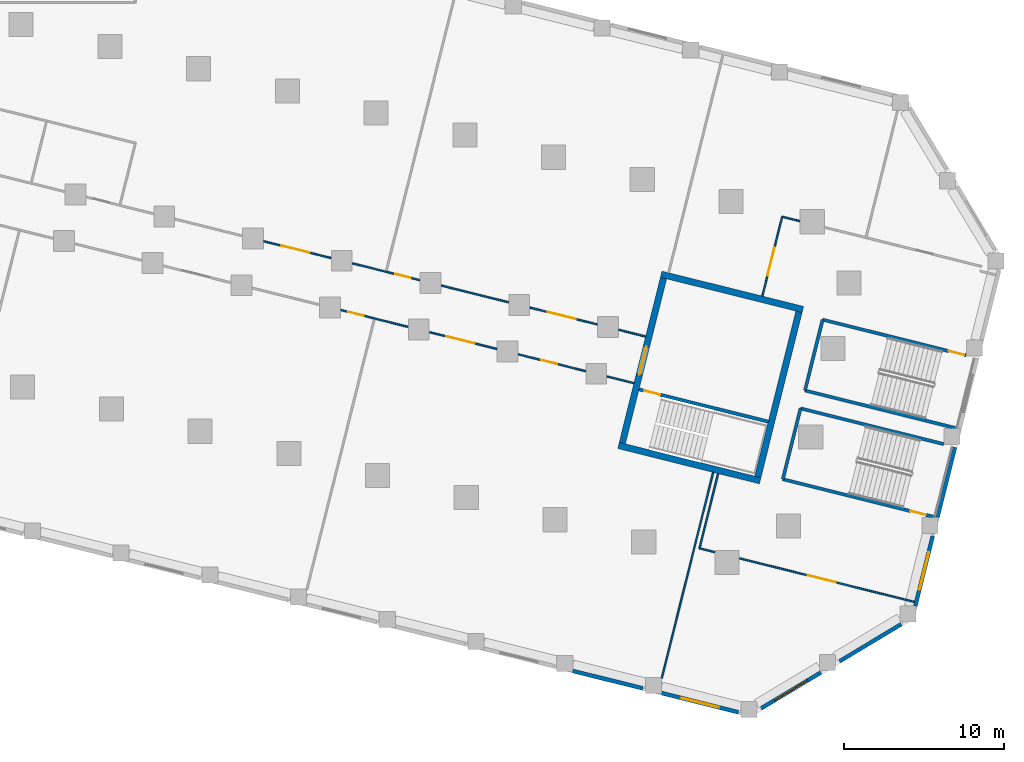
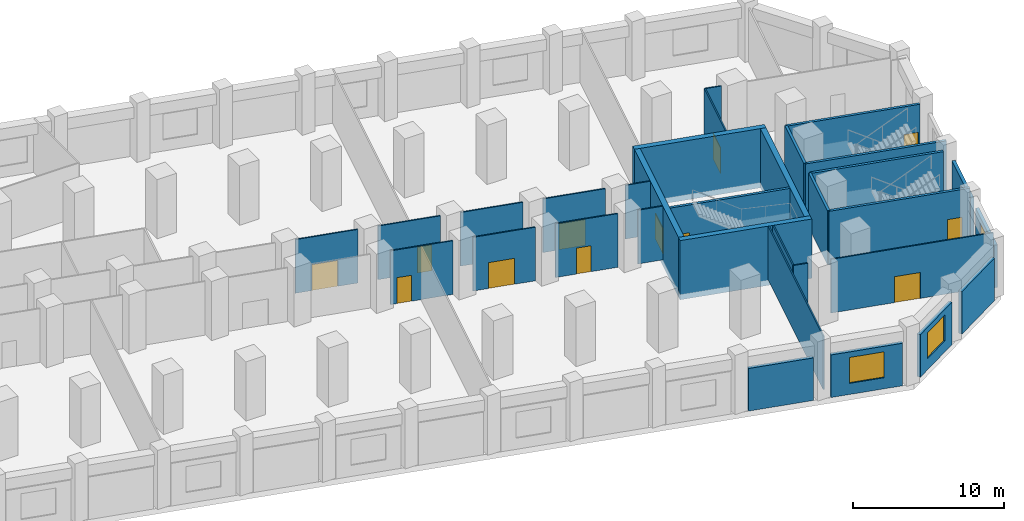
# One storey, part 6 of 16: 32 walls, 12 doors, 3 windows, 15 openings.
"""IFC4 building model written with IfcOpenShell, lengths in metres."""

from ifc_helpers import new_model, si_unit, direction, frame, frame_2d, origin, place, context, subcontext, project, spatial, rectangle, extrude, material, layer, layer_set, type_object, element, fill, save


model = new_model("IFC4")

# Units and contexts
model_context = context("Model", 3, precision=1e-05, world=origin(), true_north=direction((0.0, 1.0)))
body_context = subcontext(model_context, "Body", "Model", "MODEL_VIEW")
ifc_project = project(units=[si_unit("LENGTHUNIT", "METRE"), si_unit("AREAUNIT", "SQUARE_METRE"), si_unit("VOLUMEUNIT", "CUBIC_METRE"), si_unit("PLANEANGLEUNIT", "RADIAN"), si_unit("MASSUNIT", "GRAM", prefix="KILO")], contexts=[model_context])

# Site, building, storey
site_placement = place(None, origin())
site = spatial("IfcSite", under=ifc_project, at=site_placement, CompositionType="ELEMENT")
building_placement = place(site_placement, origin())
building = spatial("IfcBuilding", under=site, at=building_placement, Name="Meshkara Civic Tower", CompositionType="ELEMENT")
storey_placement = place(building_placement, frame((0.0, 0.0, 18.60009765625)))
storey = spatial("IfcBuildingStorey", under=building, at=storey_placement, Name="L03", CompositionType="ELEMENT", Elevation=18.60009765625)

# Wall, opening, door
ifc_material_1 = material(Name="Corridor wall 100")
ifc_layer_1 = layer(ifc_material_1, 0.10009765625)
ifc_layer_set_1 = layer_set([ifc_layer_1], Name="Corridor wall 100")
wall_type_1 = type_object("IfcWallType", Name="Corridor wall 100", PredefinedType="PARTITIONING", material=ifc_layer_set_1)
wall_1_placement = place(storey_placement, frame((58.194091796875, -1.214111328125, 0.0), z_axis=(0.0, 0.0, 1.0), x_axis=(-0.970325134426, 0.241803915396, 0.0)))
wall_1 = element("IfcWall", 1, at=wall_1_placement, inside=storey, type_object=wall_type_1, Name="L03-R060", PredefinedType="PARTITIONING", context=body_context, shape_type="SweptSolid", body=[
    extrude(rectangle(XDim=4.318359375, YDim=0.10009765625, at=frame_2d((2.1591796875, 0.0))), origin(), (0.0, 0.0, 1.0), 4.349853515625),
])
opening_1_placement = place(wall_1_placement, frame((1.3798828125, 0.0, 0.0)))
opening_1 = element("IfcOpeningElement", 2, at=opening_1_placement, cuts=wall_1, Name="Opening L03-P007", PredefinedType="OPENING", context=body_context, shape_type="SweptSolid", body=[
    extrude(rectangle(XDim=1.800048828125, YDim=2.10009765625, at=frame_2d((0.89990234375, 1.050048828125))), frame((0.0, 0.06005859375, 0.0), z_axis=(0.0, -1.0, 0.0), x_axis=(1.0, 0.0, 0.0)), (0.0, 0.0, 1.0), 0.1201171875),
])
ifc_material_2 = material(Name="Door pair 1800 x 2100")
door_type_1 = type_object("IfcDoorType", Name="Door pair 1800 x 2100", OperationType="SINGLE_SWING_LEFT", PredefinedType="DOOR", material=ifc_material_2)
door_1_placement = place(opening_1_placement, origin())
door_1 = element("IfcDoor", 3, at=door_1_placement, inside=storey, type_object=door_type_1, Name="L03-P007", OperationType="DOUBLE_DOOR_SINGLE_SWING", OverallHeight=2.10009765625, OverallWidth=1.800048828125, PredefinedType="DOOR", context=body_context, shape_type="SweptSolid", body=[
    extrude(rectangle(XDim=1.800048828125, YDim=2.10009765625, at=frame_2d((0.89990234375, 1.050048828125))), frame((0.0, 0.02490234375, 0.0), z_axis=(0.0, -1.0, 0.0), x_axis=(1.0, 0.0, 0.0)), (0.0, 0.0, 1.0), 0.050048828125),
])
fill(opening_1, door_1)

wall_2_placement = place(storey_placement, frame((58.80908203125, -4.4599609375, 0.0), z_axis=(0.0, 0.0, 1.0), x_axis=(0.970335093604, -0.241763947107, 0.0)))
wall_2 = element("IfcWall", 4, at=wall_2_placement, inside=storey, type_object=wall_type_1, Name="L03-R061", PredefinedType="PARTITIONING", context=body_context, shape_type="SweptSolid", body=[
    extrude(rectangle(XDim=4.318115234375, YDim=0.10009765625, at=frame_2d((2.1591796875, 0.0))), origin(), (0.0, 0.0, 1.0), 4.349853515625),
])
opening_2_placement = place(wall_2_placement, frame((0.47998046875, 0.0, 0.0)))
opening_2 = element("IfcOpeningElement", 5, at=opening_2_placement, cuts=wall_2, Name="Opening L03-P008", PredefinedType="OPENING", context=body_context, shape_type="SweptSolid", body=[
    extrude(rectangle(XDim=1.0, YDim=2.10009765625, at=frame_2d((0.5, 1.050048828125))), frame((0.0, 0.06005859375, 0.0), z_axis=(0.0, -1.0, 0.0), x_axis=(1.0, 0.0, 0.0)), (0.0, 0.0, 1.0), 0.1201171875),
])
ifc_material_3 = material(Name="Door 1000 x 2100")
door_type_2 = type_object("IfcDoorType", Name="Door 1000 x 2100", OperationType="SINGLE_SWING_LEFT", PredefinedType="DOOR", material=ifc_material_3)
door_2_placement = place(opening_2_placement, origin())
door_2 = element("IfcDoor", 6, at=door_2_placement, inside=storey, type_object=door_type_2, Name="L03-P008", OperationType="SINGLE_SWING_RIGHT", OverallHeight=2.10009765625, OverallWidth=1.0, PredefinedType="DOOR", context=body_context, shape_type="SweptSolid", body=[
    extrude(rectangle(XDim=1.0, YDim=2.10009765625, at=frame_2d((0.5, 1.050048828125))), frame((0.0, 0.02490234375, 0.0), z_axis=(0.0, -1.0, 0.0), x_axis=(1.0, 0.0, 0.0)), (0.0, 0.0, 1.0), 0.050048828125),
])
fill(opening_2, door_2)

wall_3_placement = place(storey_placement, frame((59.533935546875, -1.548095703125, 0.0), z_axis=(0.0, 0.0, 1.0), x_axis=(0.970298563138, -0.241910517285, 0.0)))
wall_3 = element("IfcWall", 7, at=wall_3_placement, inside=storey, type_object=wall_type_1, Name="L03-R062", PredefinedType="PARTITIONING", context=body_context, shape_type="SweptSolid", body=[
    extrude(rectangle(XDim=4.3193359375, YDim=0.10009765625, at=frame_2d((2.15966796875, 0.0))), origin(), (0.0, 0.0, 1.0), 4.349853515625),
])
opening_3_placement = place(wall_3_placement, frame((2.739990234375, 0.0, 0.0)))
opening_3 = element("IfcOpeningElement", 8, at=opening_3_placement, cuts=wall_3, Name="Opening L03-P009", PredefinedType="OPENING", context=body_context, shape_type="SweptSolid", body=[
    extrude(rectangle(XDim=1.0, YDim=2.10009765625, at=frame_2d((0.5, 1.050048828125))), frame((0.0, 0.06005859375, 0.0), z_axis=(0.0, -1.0, 0.0), x_axis=(1.0, 0.0, 0.0)), (0.0, 0.0, 1.0), 0.1201171875),
])
door_3_placement = place(opening_3_placement, origin())
door_3 = element("IfcDoor", 9, at=door_3_placement, inside=storey, type_object=door_type_2, Name="L03-P009", OperationType="SINGLE_SWING_LEFT", OverallHeight=2.10009765625, OverallWidth=1.0, PredefinedType="DOOR", context=body_context, shape_type="SweptSolid", body=[
    extrude(rectangle(XDim=1.0, YDim=2.10009765625, at=frame_2d((0.5, 1.050048828125))), frame((0.0, 0.02490234375, 0.0), z_axis=(0.0, -1.0, 0.0), x_axis=(1.0, 0.0, 0.0)), (0.0, 0.0, 1.0), 0.050048828125),
])
fill(opening_3, door_3)

wall_4_placement = place(storey_placement, frame((64.339111328125, -5.837890625, 0.0), z_axis=(0.0, 0.0, 1.0), x_axis=(0.97028198557, -0.241976999897, 0.0)))
wall_4 = element("IfcWall", 10, at=wall_4_placement, inside=storey, type_object=wall_type_1, Name="L03-R063", PredefinedType="PARTITIONING", context=body_context, shape_type="SweptSolid", body=[
    extrude(rectangle(XDim=4.3193359375, YDim=0.10009765625, at=frame_2d((2.15966796875, 0.0))), origin(), (0.0, 0.0, 1.0), 4.349853515625),
])
opening_4_placement = place(wall_4_placement, frame((1.080078125, 0.0, 0.0)))
opening_4 = element("IfcOpeningElement", 11, at=opening_4_placement, cuts=wall_4, Name="Opening L03-P003", PredefinedType="OPENING", context=body_context, shape_type="SweptSolid", body=[
    extrude(rectangle(XDim=1.800048828125, YDim=2.10009765625, at=frame_2d((0.89990234375, 1.050048828125))), frame((0.0, 0.06005859375, 0.0), z_axis=(0.0, -1.0, 0.0), x_axis=(1.0, 0.0, 0.0)), (0.0, 0.0, 1.0), 0.1201171875),
])
door_4_placement = place(opening_4_placement, origin())
door_4 = element("IfcDoor", 12, at=door_4_placement, inside=storey, type_object=door_type_1, Name="L03-P003", OperationType="DOUBLE_DOOR_SINGLE_SWING", OverallHeight=2.10009765625, OverallWidth=1.800048828125, PredefinedType="DOOR", context=body_context, shape_type="SweptSolid", body=[
    extrude(rectangle(XDim=1.800048828125, YDim=2.10009765625, at=frame_2d((0.89990234375, 1.050048828125))), frame((0.0, 0.02490234375, 0.0), z_axis=(0.0, -1.0, 0.0), x_axis=(1.0, 0.0, 0.0)), (0.0, 0.0, 1.0), 0.050048828125),
])
fill(opening_4, door_4)

# Wall
wall_5_placement = place(storey_placement, frame((69.256103515625, -3.971923828125, 0.0), z_axis=(0.0, 0.0, 1.0), x_axis=(-0.970298563138, 0.241910517285, 0.0)))
element("IfcWall", 13, at=wall_5_placement, inside=storey, type_object=wall_type_1, Name="L03-R064", PredefinedType="PARTITIONING", context=body_context, shape_type="SweptSolid", body=[
    extrude(rectangle(XDim=4.3193359375, YDim=0.10009765625, at=frame_2d((2.15966796875, 0.0))), origin(), (0.0, 0.0, 1.0), 4.349853515625),
])

# Wall, opening, door
wall_6_placement = place(storey_placement, frame((69.8701171875, -7.218017578125, 0.0), z_axis=(0.0, 0.0, 1.0), x_axis=(0.970295255208, -0.241923784941, 0.0)))
wall_6 = element("IfcWall", 14, at=wall_6_placement, inside=storey, type_object=wall_type_1, Name="L03-R065", PredefinedType="PARTITIONING", context=body_context, shape_type="SweptSolid", body=[
    extrude(rectangle(XDim=4.3193359375, YDim=0.10009765625, at=frame_2d((2.15966796875, 0.0))), origin(), (0.0, 0.0, 1.0), 4.349853515625),
])
opening_5_placement = place(wall_6_placement, frame((1.47998046875, 0.0, 0.0)))
opening_5 = element("IfcOpeningElement", 15, at=opening_5_placement, cuts=wall_6, Name="Opening L03-P004", PredefinedType="OPENING", context=body_context, shape_type="SweptSolid", body=[
    extrude(rectangle(XDim=1.0, YDim=2.10009765625, at=frame_2d((0.5, 1.050048828125))), frame((0.0, 0.06005859375, 0.0), z_axis=(0.0, -1.0, 0.0), x_axis=(1.0, 0.0, 0.0)), (0.0, 0.0, 1.0), 0.1201171875),
])
door_5_placement = place(opening_5_placement, origin())
door_5 = element("IfcDoor", 16, at=door_5_placement, inside=storey, type_object=door_type_2, Name="L03-P004", OperationType="SINGLE_SWING_RIGHT", OverallHeight=2.10009765625, OverallWidth=1.0, PredefinedType="DOOR", context=body_context, shape_type="SweptSolid", body=[
    extrude(rectangle(XDim=1.0, YDim=2.10009765625, at=frame_2d((0.5, 1.050048828125))), frame((0.0, 0.02490234375, 0.0), z_axis=(0.0, -1.0, 0.0), x_axis=(1.0, 0.0, 0.0)), (0.0, 0.0, 1.0), 0.050048828125),
])
fill(opening_5, door_5)

wall_7_placement = place(storey_placement, frame((74.785888671875, -5.35107421875, 0.0), z_axis=(0.0, 0.0, 1.0), x_axis=(-0.970321828551, 0.241817181023, 0.0)))
wall_7 = element("IfcWall", 17, at=wall_7_placement, inside=storey, type_object=wall_type_1, Name="L03-R066", PredefinedType="PARTITIONING", context=body_context, shape_type="SweptSolid", body=[
    extrude(rectangle(XDim=4.318115234375, YDim=0.10009765625, at=frame_2d((2.1591796875, 0.0))), origin(), (0.0, 0.0, 1.0), 4.349853515625),
])
opening_6_placement = place(wall_7_placement, frame((1.3798828125, 0.0, 0.0)))
opening_6 = element("IfcOpeningElement", 18, at=opening_6_placement, cuts=wall_7, Name="Opening L03-P010", PredefinedType="OPENING", context=body_context, shape_type="SweptSolid", body=[
    extrude(rectangle(XDim=1.800048828125, YDim=2.10009765625, at=frame_2d((0.89990234375, 1.050048828125))), frame((0.0, 0.06005859375, 0.0), z_axis=(0.0, -1.0, 0.0), x_axis=(1.0, 0.0, 0.0)), (0.0, 0.0, 1.0), 0.1201171875),
])
door_6_placement = place(opening_6_placement, origin())
door_6 = element("IfcDoor", 19, at=door_6_placement, inside=storey, type_object=door_type_1, Name="L03-P010", OperationType="DOUBLE_DOOR_SINGLE_SWING", OverallHeight=2.10009765625, OverallWidth=1.800048828125, PredefinedType="DOOR", context=body_context, shape_type="SweptSolid", body=[
    extrude(rectangle(XDim=1.800048828125, YDim=2.10009765625, at=frame_2d((0.89990234375, 1.050048828125))), frame((0.0, 0.02490234375, 0.0), z_axis=(0.0, -1.0, 0.0), x_axis=(1.0, 0.0, 0.0)), (0.0, 0.0, 1.0), 0.050048828125),
])
fill(opening_6, door_6)

# Walls
wall_8_placement = place(storey_placement, frame((75.40087890625, -8.596923828125, 0.0), z_axis=(0.0, 0.0, 1.0), x_axis=(0.970358012919, -0.241671940372, 0.0)))
element("IfcWall", 20, at=wall_8_placement, inside=storey, type_object=wall_type_1, Name="L03-R067", PredefinedType="PARTITIONING", context=body_context, shape_type="SweptSolid", body=[
    extrude(rectangle(XDim=1.7294921875, YDim=0.10009765625, at=frame_2d((0.86474609375, 0.0))), origin(), (0.0, 0.0, 1.0), 4.349853515625),
])
wall_9_placement = place(storey_placement, frame((77.804931640625, -6.10400390625, 0.0), z_axis=(0.0, 0.0, 1.0), x_axis=(-0.97025029366, 0.242104043031, 0.0)))
element("IfcWall", 21, at=wall_9_placement, inside=storey, type_object=wall_type_1, Name="L03-R068", PredefinedType="PARTITIONING", context=body_context, shape_type="SweptSolid", body=[
    extrude(rectangle(XDim=1.73046875, YDim=0.10009765625, at=frame_2d((0.865234375, 0.0))), origin(), (0.0, 0.0, 1.0), 4.349853515625),
])
wall_10_placement = place(storey_placement, frame((81.159912109375, -19.30810546875, 0.0), z_axis=(0.0, 0.0, 1.0), x_axis=(0.970258747404, -0.242070161495, 0.0)))
element("IfcWall", 22, at=wall_10_placement, inside=storey, type_object=wall_type_1, Name="L03-R069", PredefinedType="PARTITIONING", context=body_context, shape_type="SweptSolid", body=[
    extrude(rectangle(XDim=0.9873046875, YDim=0.10009765625, at=frame_2d((0.49365234375, 0.0))), origin(), (0.0, 0.0, 1.0), 4.349853515625),
])
wall_11_placement = place(storey_placement, frame((82.321044921875, -14.65087890625, 0.0), z_axis=(0.0, 0.0, 1.0), x_axis=(-0.241913228726, -0.970297887129, 0.0)))
element("IfcWall", 23, at=wall_11_placement, inside=storey, type_object=wall_type_1, Name="L03-R070", PredefinedType="PARTITIONING", context=body_context, shape_type="SweptSolid", body=[
    extrude(rectangle(XDim=4.7998046875, YDim=0.10009765625, at=frame_2d((2.39990234375, 0.0))), origin(), (0.0, 0.0, 1.0), 4.349853515625),
])

# Wall, opening, door
wall_12_placement = place(storey_placement, frame((83.657958984375, -19.930908203125, 0.0), z_axis=(0.0, 0.0, 1.0), x_axis=(0.970304770319, -0.241885619034, 0.0)))
wall_12 = element("IfcWall", 24, at=wall_12_placement, inside=storey, type_object=wall_type_1, Name="L03-R071", PredefinedType="PARTITIONING", context=body_context, shape_type="SweptSolid", body=[
    extrude(rectangle(XDim=11.224609375, YDim=0.10009765625, at=frame_2d((5.6123046875, 0.0))), origin(), (0.0, 0.0, 1.0), 4.349853515625),
])
opening_7_placement = place(wall_12_placement, frame((4.3798828125, 0.0, 0.0)))
opening_7 = element("IfcOpeningElement", 25, at=opening_7_placement, cuts=wall_12, Name="Opening L03-P001", PredefinedType="OPENING", context=body_context, shape_type="SweptSolid", body=[
    extrude(rectangle(XDim=1.800048828125, YDim=2.10009765625, at=frame_2d((0.89990234375, 1.050048828125))), frame((0.0, 0.06005859375, 0.0), z_axis=(0.0, -1.0, 0.0), x_axis=(1.0, 0.0, 0.0)), (0.0, 0.0, 1.0), 0.1201171875),
])
door_7_placement = place(opening_7_placement, origin())
door_7 = element("IfcDoor", 26, at=door_7_placement, inside=storey, type_object=door_type_1, Name="L03-P001", OperationType="DOUBLE_DOOR_SINGLE_SWING", OverallHeight=2.10009765625, OverallWidth=1.800048828125, PredefinedType="DOOR", context=body_context, shape_type="SweptSolid", body=[
    extrude(rectangle(XDim=1.800048828125, YDim=2.10009765625, at=frame_2d((0.89990234375, 1.050048828125))), frame((0.0, 0.02490234375, 0.0), z_axis=(0.0, -1.0, 0.0), x_axis=(1.0, 0.0, 0.0)), (0.0, 0.0, 1.0), 0.050048828125),
])
fill(opening_7, door_7)

wall_13_placement = place(storey_placement, frame((86.31298828125, 1.35888671875, 0.0), z_axis=(0.0, 0.0, 1.0), x_axis=(-0.241961080538, -0.970285955533, 0.0)))
wall_13 = element("IfcWall", 27, at=wall_13_placement, inside=storey, type_object=wall_type_1, Name="L03-R072", PredefinedType="PARTITIONING", context=body_context, shape_type="SweptSolid", body=[
    extrude(rectangle(XDim=5.099609375, YDim=0.10009765625, at=frame_2d((2.5498046875, 0.0))), origin(), (0.0, 0.0, 1.0), 4.349853515625),
])
opening_8_placement = place(wall_13_placement, frame((1.97998046875, 0.0, 0.0)))
opening_8 = element("IfcOpeningElement", 28, at=opening_8_placement, cuts=wall_13, Name="Opening L03-P011", PredefinedType="OPENING", context=body_context, shape_type="SweptSolid", body=[
    extrude(rectangle(XDim=1.800048828125, YDim=2.10009765625, at=frame_2d((0.89990234375, 1.050048828125))), frame((0.0, 0.06005859375, 0.0), z_axis=(0.0, -1.0, 0.0), x_axis=(1.0, 0.0, 0.0)), (0.0, 0.0, 1.0), 0.1201171875),
])
door_8_placement = place(opening_8_placement, origin())
door_8 = element("IfcDoor", 29, at=door_8_placement, inside=storey, type_object=door_type_1, Name="L03-P011", OperationType="DOUBLE_DOOR_SINGLE_SWING", OverallHeight=2.10009765625, OverallWidth=1.800048828125, PredefinedType="DOOR", context=body_context, shape_type="SweptSolid", body=[
    extrude(rectangle(XDim=1.800048828125, YDim=2.10009765625, at=frame_2d((0.89990234375, 1.050048828125))), frame((0.0, 0.02490234375, 0.0), z_axis=(0.0, -1.0, 0.0), x_axis=(1.0, 0.0, 0.0)), (0.0, 0.0, 1.0), 0.050048828125),
])
fill(opening_8, door_8)

# Walls
wall_14_placement = place(storey_placement, frame((87.416015625, 1.083984375, 0.0), z_axis=(0.0, 0.0, 1.0), x_axis=(-0.970319109457, 0.241828091467, 0.0)))
element("IfcWall", 30, at=wall_14_placement, inside=storey, type_object=wall_type_1, Name="L03-R074", PredefinedType="PARTITIONING", context=body_context, shape_type="SweptSolid", body=[
    extrude(rectangle(XDim=1.13671875, YDim=0.10009765625, at=frame_2d((0.568359375, 0.0))), origin(), (0.0, 0.0, 1.0), 4.349853515625),
])
ifc_material_4 = material(Name="Concrete C80", Category="concrete")
ifc_layer_2 = layer(ifc_material_4, 0.39990234375)
ifc_layer_set_2 = layer_set([ifc_layer_2], Name="End core ring wall 400 C80")
wall_type_2 = type_object("IfcWallType", Name="End core ring wall 400 C80", PredefinedType="SHEAR", material=ifc_layer_set_2)
wall_15_placement = place(storey_placement, frame((76.111083984375, -12.89599609375, -0.4501953125), z_axis=(0.0, 0.0, 1.0), x_axis=(0.970311127573, -0.241860115992, 0.0)))
element("IfcWall", 31, at=wall_15_placement, inside=storey, type_object=wall_type_2, Name="L03-C030", PredefinedType="SHEAR", context=body_context, shape_type="SweptSolid", body=[
    extrude(rectangle(XDim=9.10009765625, YDim=0.39990234375, at=frame_2d((4.550048828125, 0.0))), origin(), (0.0, 0.0, 1.0), 4.800048828125),
])
wall_16_placement = place(storey_placement, frame((78.77197265625, -2.222900390625, -0.4501953125), z_axis=(0.0, 0.0, 1.0), x_axis=(0.970306400786, -0.241879078453, 0.0)))
element("IfcWall", 32, at=wall_16_placement, inside=storey, type_object=wall_type_2, Name="L03-C031", PredefinedType="SHEAR", context=body_context, shape_type="SweptSolid", body=[
    extrude(rectangle(XDim=9.100341796875, YDim=0.39990234375, at=frame_2d((4.55029296875, 0.0))), origin(), (0.0, 0.0, 1.0), 4.800048828125),
])

# Wall, opening, door
wall_17_placement = place(storey_placement, frame((76.35302734375, -12.75, -0.4501953125), z_axis=(0.0, 0.0, 1.0), x_axis=(0.241977390218, 0.970281888228, 0.0)))
wall_17 = element("IfcWall", 33, at=wall_17_placement, inside=storey, type_object=wall_type_2, Name="L03-C032", PredefinedType="SHEAR", context=body_context, shape_type="SweptSolid", body=[
    extrude(rectangle(XDim=10.599853515625, YDim=0.39990234375, at=frame_2d((5.2998046875, 0.0))), origin(), (0.0, 0.0, 1.0), 4.800048828125),
])
opening_9_placement = place(wall_17_placement, frame((4.39990234375, 0.0, 0.449951171875)))
opening_9 = element("IfcOpeningElement", 34, at=opening_9_placement, cuts=wall_17, Name="Opening L03-K202", PredefinedType="OPENING", context=body_context, shape_type="SweptSolid", body=[
    extrude(rectangle(XDim=1.800048828125, YDim=2.10009765625, at=frame_2d((0.89990234375, 1.050048828125))), frame((0.0, 0.2099609375, 0.0), z_axis=(0.0, -1.0, 0.0), x_axis=(1.0, 0.0, 0.0)), (0.0, 0.0, 1.0), 0.419921875),
])
ifc_material_5 = material(Name="Fire-rated door leaf in steel frame", Category="steel")
door_type_3 = type_object("IfcDoorType", Name="Core double door 1800 EI 60", OperationType="DOUBLE_DOOR_SINGLE_SWING", PredefinedType="DOOR", material=ifc_material_5)
door_9_placement = place(opening_9_placement, origin())
door_9 = element("IfcDoor", 35, at=door_9_placement, inside=storey, type_object=door_type_3, Name="L03-K202", OperationType="DOUBLE_DOOR_SINGLE_SWING", OverallHeight=2.10009765625, OverallWidth=1.800048828125, PredefinedType="DOOR", context=body_context, shape_type="SweptSolid", body=[
    extrude(rectangle(XDim=1.800048828125, YDim=2.10009765625, at=frame_2d((0.89990234375, 1.050048828125))), frame((0.0, 0.02490234375, 0.0), z_axis=(0.0, -1.0, 0.0), x_axis=(1.0, 0.0, 0.0)), (0.0, 0.0, 1.0), 0.050048828125),
])
fill(opening_9, door_9)

# Walls
wall_18_placement = place(storey_placement, frame((84.794921875, -14.85498046875, -0.4501953125), z_axis=(0.0, 0.0, 1.0), x_axis=(0.241890652548, 0.970303515509, 0.0)))
element("IfcWall", 36, at=wall_18_placement, inside=storey, type_object=wall_type_2, Name="L03-C033", PredefinedType="SHEAR", context=body_context, shape_type="SweptSolid", body=[
    extrude(rectangle(XDim=10.599609375, YDim=0.39990234375, at=frame_2d((5.2998046875, 0.0))), origin(), (0.0, 0.0, 1.0), 4.800048828125),
])
ifc_material_6 = material(Name="Stone cladding on insulated backing wall", Category="masonry")
ifc_layer_3 = layer(ifc_material_6, 0.25)
ifc_layer_set_3 = layer_set([ifc_layer_3], Name="PODIUM STONE WALL 250")
wall_type_3 = type_object("IfcWallType", Name="PODIUM STONE WALL 250", PredefinedType="SOLIDWALL", material=ifc_layer_set_3)
wall_19_placement = place(storey_placement, frame((73.27294921875, -26.951904296875, 0.0), z_axis=(0.0, 0.0, 1.0), x_axis=(0.970263990019, -0.242049147224, 0.0)))
element("IfcWall", 37, at=wall_19_placement, inside=storey, type_object=wall_type_3, Name="Podium external wall", PredefinedType="SOLIDWALL", context=body_context, shape_type="SweptSolid", body=[
    extrude(rectangle(XDim=4.487548828125, YDim=0.25, at=frame_2d((2.24365234375, 0.0))), origin(), (0.0, 0.0, 1.0), 3.449951171875),
])

# Wall, opening, window
wall_20_placement = place(storey_placement, frame((78.803955078125, -28.3310546875, 0.0), z_axis=(0.0, 0.0, 1.0), x_axis=(0.970305357377, -0.241883264089, 0.0)))
wall_20 = element("IfcWall", 38, at=wall_20_placement, inside=storey, type_object=wall_type_3, Name="Podium external wall", PredefinedType="SOLIDWALL", context=body_context, shape_type="SweptSolid", body=[
    extrude(rectangle(XDim=4.931640625, YDim=0.25, at=frame_2d((2.4658203125, 0.0))), origin(), (0.0, 0.0, 1.0), 3.449951171875),
])
opening_10_placement = place(wall_20_placement, frame((1.26611328125, 0.0, 0.89990234375)))
opening_10 = element("IfcOpeningElement", 39, at=opening_10_placement, cuts=wall_20, Name="Opening PW10", PredefinedType="OPENING", context=body_context, shape_type="SweptSolid", body=[
    extrude(rectangle(XDim=2.39990234375, YDim=2.10009765625, at=frame_2d((1.199951171875, 1.050048828125))), frame((0.0, 0.135009765625, 0.0), z_axis=(0.0, -1.0, 0.0), x_axis=(1.0, 0.0, 0.0)), (0.0, 0.0, 1.0), 0.27001953125),
])
ifc_material_7 = material(Name="Tinted double glazing", Category="glass")
window_type = type_object("IfcWindowType", Name="PODIUM WINDOW 2400x2100", PartitioningType="DOUBLE_PANEL_VERTICAL", PredefinedType="WINDOW", material=ifc_material_7)
window_1_placement = place(opening_10_placement, origin())
window_1 = element("IfcWindow", 40, at=window_1_placement, inside=storey, type_object=window_type, Name="Podium window", OverallHeight=2.10009765625, OverallWidth=2.39990234375, PartitioningType="DOUBLE_PANEL_VERTICAL", PredefinedType="WINDOW", context=body_context, shape_type="SweptSolid", body=[
    extrude(rectangle(XDim=2.39990234375, YDim=2.10009765625, at=frame_2d((1.199951171875, 1.050048828125))), frame((0.0, 0.030029296875, 0.0), z_axis=(0.0, -1.0, 0.0), x_axis=(1.0, 0.0, 0.0)), (0.0, 0.0, 1.0), 0.06005859375),
])
fill(opening_10, window_1)

wall_21_placement = place(storey_placement, frame((85.011962890625, -29.280029296875, 0.0), z_axis=(0.0, 0.0, 1.0), x_axis=(0.857124320069, 0.515109599936, 0.0)))
wall_21 = element("IfcWall", 41, at=wall_21_placement, inside=storey, type_object=wall_type_3, Name="Podium external wall", PredefinedType="SOLIDWALL", context=body_context, shape_type="SweptSolid", body=[
    extrude(rectangle(XDim=4.3271484375, YDim=0.25, at=frame_2d((2.16357421875, 0.0))), origin(), (0.0, 0.0, 1.0), 3.449951171875),
])
opening_11_placement = place(wall_21_placement, frame((0.964111328125, 0.0, 0.89990234375)))
opening_11 = element("IfcOpeningElement", 42, at=opening_11_placement, cuts=wall_21, Name="Opening PW10", PredefinedType="OPENING", context=body_context, shape_type="SweptSolid", body=[
    extrude(rectangle(XDim=2.39990234375, YDim=2.10009765625, at=frame_2d((1.199951171875, 1.050048828125))), frame((0.0, 0.135009765625, 0.0), z_axis=(0.0, -1.0, 0.0), x_axis=(1.0, 0.0, 0.0)), (0.0, 0.0, 1.0), 0.27001953125),
])
window_2_placement = place(opening_11_placement, origin())
window_2 = element("IfcWindow", 43, at=window_2_placement, inside=storey, type_object=window_type, Name="Podium window", OverallHeight=2.10009765625, OverallWidth=2.39990234375, PartitioningType="DOUBLE_PANEL_VERTICAL", PredefinedType="WINDOW", context=body_context, shape_type="SweptSolid", body=[
    extrude(rectangle(XDim=2.39990234375, YDim=2.10009765625, at=frame_2d((1.199951171875, 1.050048828125))), frame((0.0, 0.030029296875, 0.0), z_axis=(0.0, -1.0, 0.0), x_axis=(1.0, 0.0, 0.0)), (0.0, 0.0, 1.0), 0.06005859375),
])
fill(opening_11, window_2)

# Wall
wall_22_placement = place(storey_placement, frame((89.89794921875, -26.344970703125, 0.0), z_axis=(0.0, 0.0, 1.0), x_axis=(0.857102702083, 0.515145569797, 0.0)))
element("IfcWall", 44, at=wall_22_placement, inside=storey, type_object=wall_type_3, Name="Podium external wall", PredefinedType="SOLIDWALL", context=body_context, shape_type="SweptSolid", body=[
    extrude(rectangle(XDim=4.474365234375, YDim=0.25, at=frame_2d((2.2373046875, 0.0))), origin(), (0.0, 0.0, 1.0), 3.449951171875),
])

# Wall, opening, window
wall_23_placement = place(storey_placement, frame((94.614990234375, -22.89892578125, 0.0), z_axis=(0.0, 0.0, 1.0), x_axis=(0.241946839653, 0.970289506684, 0.0)))
wall_23 = element("IfcWall", 45, at=wall_23_placement, inside=storey, type_object=wall_type_3, Name="Podium external wall", PredefinedType="SOLIDWALL", context=body_context, shape_type="SweptSolid", body=[
    extrude(rectangle(XDim=4.48828125, YDim=0.25, at=frame_2d((2.244140625, 0.0))), origin(), (0.0, 0.0, 1.0), 3.449951171875),
])
opening_12_placement = place(wall_23_placement, frame((1.0439453125, 0.0, 0.89990234375)))
opening_12 = element("IfcOpeningElement", 46, at=opening_12_placement, cuts=wall_23, Name="Opening PW10", PredefinedType="OPENING", context=body_context, shape_type="SweptSolid", body=[
    extrude(rectangle(XDim=2.39990234375, YDim=2.10009765625, at=frame_2d((1.199951171875, 1.050048828125))), frame((0.0, 0.135009765625, 0.0), z_axis=(0.0, -1.0, 0.0), x_axis=(1.0, 0.0, 0.0)), (0.0, 0.0, 1.0), 0.27001953125),
])
window_3_placement = place(opening_12_placement, origin())
window_3 = element("IfcWindow", 47, at=window_3_placement, inside=storey, type_object=window_type, Name="Podium window", OverallHeight=2.10009765625, OverallWidth=2.39990234375, PartitioningType="DOUBLE_PANEL_VERTICAL", PredefinedType="WINDOW", context=body_context, shape_type="SweptSolid", body=[
    extrude(rectangle(XDim=2.39990234375, YDim=2.10009765625, at=frame_2d((1.199951171875, 1.050048828125))), frame((0.0, 0.030029296875, 0.0), z_axis=(0.0, -1.0, 0.0), x_axis=(1.0, 0.0, 0.0)), (0.0, 0.0, 1.0), 0.06005859375),
])
fill(opening_12, window_3)

# Walls
wall_24_placement = place(storey_placement, frame((95.9951171875, -17.367919921875, 0.0), z_axis=(0.0, 0.0, 1.0), x_axis=(0.241793032904, 0.970327846266, 0.0)))
element("IfcWall", 48, at=wall_24_placement, inside=storey, type_object=wall_type_3, Name="Podium external wall", PredefinedType="SOLIDWALL", context=body_context, shape_type="SweptSolid", body=[
    extrude(rectangle(XDim=4.487060546875, YDim=0.25, at=frame_2d((2.24365234375, 0.0))), origin(), (0.0, 0.0, 1.0), 3.449951171875),
])
ifc_material_8 = material(Name="Partition 100")
ifc_layer_4 = layer(ifc_material_8, 0.10009765625)
ifc_layer_set_4 = layer_set([ifc_layer_4], Name="Partition 100")
wall_type_4 = type_object("IfcWallType", Name="Partition 100", PredefinedType="PARTITIONING", material=ifc_layer_set_4)
wall_25_placement = place(storey_placement, frame((78.81396484375, -27.39111328125, 0.0), z_axis=(0.0, 0.0, 1.0), x_axis=(0.242000743869, 0.970276063792, 0.0)))
element("IfcWall", 49, at=wall_25_placement, inside=storey, type_object=wall_type_4, Name="L03-R103", PredefinedType="PARTITIONING", context=body_context, shape_type="SweptSolid", body=[
    extrude(rectangle(XDim=13.210693359375, YDim=0.10009765625, at=frame_2d((6.60546875, 0.0))), origin(), (0.0, 0.0, 1.0), 4.349853515625),
])

# Wall, opening, door
ifc_material_9 = material(Name="Concrete C40/50", Category="concrete")
ifc_layer_5 = layer(ifc_material_9, 0.199951171875)
ifc_layer_set_5 = layer_set([ifc_layer_5], Name="Stair enclosure wall 200 C40/50")
wall_type_5 = type_object("IfcWallType", Name="Stair enclosure wall 200 C40/50", PredefinedType="SOLIDWALL", material=ifc_layer_set_5)
wall_26_placement = place(storey_placement, frame((77.39404296875, -9.403076171875, 0.0), z_axis=(0.0, 0.0, 1.0), x_axis=(0.970303192681, -0.241891947516, 0.0)))
wall_26 = element("IfcWall", 50, at=wall_26_placement, inside=storey, type_object=wall_type_5, Name="L03-C034", PredefinedType="SOLIDWALL", context=body_context, shape_type="SweptSolid", body=[
    extrude(rectangle(XDim=8.300537109375, YDim=0.199951171875, at=frame_2d((4.150390625, 0.0))), origin(), (0.0, 0.0, 1.0), 4.349853515625),
])
opening_13_placement = place(wall_26_placement, frame((0.35009765625, 0.0, 0.0)))
opening_13 = element("IfcOpeningElement", 51, at=opening_13_placement, cuts=wall_26, Name="Opening L03-K201", PredefinedType="OPENING", context=body_context, shape_type="SweptSolid", body=[
    extrude(rectangle(XDim=1.0, YDim=2.10009765625, at=frame_2d((0.5, 1.050048828125))), frame((0.0, 0.10986328125, 0.0), z_axis=(0.0, -1.0, 0.0), x_axis=(1.0, 0.0, 0.0)), (0.0, 0.0, 1.0), 0.219970703125),
])
ifc_material_10 = material(Name="Fire-rated door leaf in steel frame", Category="steel")
door_type_4 = type_object("IfcDoorType", Name="Stair door 1000 EI 120", OperationType="SINGLE_SWING_LEFT", PredefinedType="DOOR", material=ifc_material_10)
door_10_placement = place(opening_13_placement, origin())
door_10 = element("IfcDoor", 52, at=door_10_placement, inside=storey, type_object=door_type_4, Name="L03-K201", OperationType="SINGLE_SWING_LEFT", OverallHeight=2.10009765625, OverallWidth=1.0, PredefinedType="DOOR", context=body_context, shape_type="SweptSolid", body=[
    extrude(rectangle(XDim=1.0, YDim=2.10009765625, at=frame_2d((0.5, 1.050048828125))), frame((0.0, 0.02490234375, 0.0), z_axis=(0.0, -1.0, 0.0), x_axis=(1.0, 0.0, 0.0)), (0.0, 0.0, 1.0), 0.050048828125),
])
fill(opening_13, door_10)

# Walls
wall_27_placement = place(storey_placement, frame((86.35595703125, -15.001953125, 0.0), z_axis=(0.0, 0.0, 1.0), x_axis=(0.241778041767, 0.970331581739, 0.0)))
element("IfcWall", 53, at=wall_27_placement, inside=storey, type_object=wall_type_5, Name="L03-R073", PredefinedType="SOLIDWALL", context=body_context, shape_type="SweptSolid", body=[
    extrude(rectangle(XDim=4.550048828125, YDim=0.199951171875, at=frame_2d((2.27490234375, 0.0))), origin(), (0.0, 0.0, 1.0), 4.349853515625),
])
wall_28_placement = place(storey_placement, frame((87.4560546875, -10.5869140625, 0.0), z_axis=(0.0, 0.0, 1.0), x_axis=(0.97028891911, -0.241949196016, 0.0)))
element("IfcWall", 54, at=wall_28_placement, inside=storey, type_object=wall_type_5, Name="L03-R075", PredefinedType="SOLIDWALL", context=body_context, shape_type="SweptSolid", body=[
    extrude(rectangle(XDim=9.208740234375, YDim=0.199951171875, at=frame_2d((4.6044921875, 0.0))), origin(), (0.0, 0.0, 1.0), 4.349853515625),
])
wall_29_placement = place(storey_placement, frame((87.735107421875, -9.470947265625, 0.0), z_axis=(0.0, 0.0, 1.0), x_axis=(0.241727520474, 0.970344168759, 0.0)))
element("IfcWall", 55, at=wall_29_placement, inside=storey, type_object=wall_type_5, Name="L03-R076", PredefinedType="SOLIDWALL", context=body_context, shape_type="SweptSolid", body=[
    extrude(rectangle(XDim=4.550048828125, YDim=0.199951171875, at=frame_2d((2.27490234375, 0.0))), origin(), (0.0, 0.0, 1.0), 4.349853515625),
])

# Wall, opening, door
wall_30_placement = place(storey_placement, frame((88.8349609375, -5.055908203125, 0.0), z_axis=(0.0, 0.0, 1.0), x_axis=(0.97028891911, -0.241949196016, 0.0)))
wall_30 = element("IfcWall", 56, at=wall_30_placement, inside=storey, type_object=wall_type_5, Name="L03-R077", PredefinedType="SOLIDWALL", context=body_context, shape_type="SweptSolid", body=[
    extrude(rectangle(XDim=9.208740234375, YDim=0.199951171875, at=frame_2d((4.6044921875, 0.0))), origin(), (0.0, 0.0, 1.0), 4.349853515625),
])
opening_14_placement = place(wall_30_placement, frame((8.10009765625, 0.0, 0.0)))
opening_14 = element("IfcOpeningElement", 57, at=opening_14_placement, cuts=wall_30, Name="Opening L03-P005", PredefinedType="OPENING", context=body_context, shape_type="SweptSolid", body=[
    extrude(rectangle(XDim=1.0, YDim=2.10009765625, at=frame_2d((0.5, 1.050048828125))), frame((0.0, 0.10986328125, 0.0), z_axis=(0.0, -1.0, 0.0), x_axis=(1.0, 0.0, 0.0)), (0.0, 0.0, 1.0), 0.219970703125),
])
door_11_placement = place(opening_14_placement, origin())
door_11 = element("IfcDoor", 58, at=door_11_placement, inside=storey, type_object=door_type_2, Name="L03-P005", OperationType="SINGLE_SWING_LEFT", OverallHeight=2.10009765625, OverallWidth=1.0, PredefinedType="DOOR", context=body_context, shape_type="SweptSolid", body=[
    extrude(rectangle(XDim=1.0, YDim=2.10009765625, at=frame_2d((0.5, 1.050048828125))), frame((0.0, 0.02490234375, 0.0), z_axis=(0.0, -1.0, 0.0), x_axis=(1.0, 0.0, 0.0)), (0.0, 0.0, 1.0), 0.050048828125),
])
fill(opening_14, door_11)

wall_31_placement = place(storey_placement, frame((86.35595703125, -15.001953125, 0.0), z_axis=(0.0, 0.0, 1.0), x_axis=(0.970288396191, -0.241951293066, 0.0)))
wall_31 = element("IfcWall", 59, at=wall_31_placement, inside=storey, type_object=wall_type_5, Name="L03-R079", PredefinedType="SOLIDWALL", context=body_context, shape_type="SweptSolid", body=[
    extrude(rectangle(XDim=9.7333984375, YDim=0.199951171875, at=frame_2d((4.86669921875, 0.0))), origin(), (0.0, 0.0, 1.0), 4.349853515625),
])
opening_15_placement = place(wall_31_placement, frame((8.18310546875, 0.0, 0.0)))
opening_15 = element("IfcOpeningElement", 60, at=opening_15_placement, cuts=wall_31, Name="Opening L03-P002", PredefinedType="OPENING", context=body_context, shape_type="SweptSolid", body=[
    extrude(rectangle(XDim=1.0, YDim=2.10009765625, at=frame_2d((0.5, 1.050048828125))), frame((0.0, 0.10986328125, 0.0), z_axis=(0.0, -1.0, 0.0), x_axis=(1.0, 0.0, 0.0)), (0.0, 0.0, 1.0), 0.219970703125),
])
door_12_placement = place(opening_15_placement, origin())
door_12 = element("IfcDoor", 61, at=door_12_placement, inside=storey, type_object=door_type_2, Name="L03-P002", OperationType="SINGLE_SWING_LEFT", OverallHeight=2.10009765625, OverallWidth=1.0, PredefinedType="DOOR", context=body_context, shape_type="SweptSolid", body=[
    extrude(rectangle(XDim=1.0, YDim=2.10009765625, at=frame_2d((0.5, 1.050048828125))), frame((0.0, 0.02490234375, 0.0), z_axis=(0.0, -1.0, 0.0), x_axis=(1.0, 0.0, 0.0)), (0.0, 0.0, 1.0), 0.050048828125),
])
fill(opening_15, door_12)

# Wall
wall_32_placement = place(storey_placement, frame((97.18310546875, -11.826904296875, 0.0), z_axis=(0.0, 0.0, 1.0), x_axis=(-0.970288335935, 0.241951534711, 0.0)))
element("IfcWall", 62, at=wall_32_placement, inside=storey, type_object=wall_type_5, Name="L03-R080", PredefinedType="SOLIDWALL", context=body_context, shape_type="SweptSolid", body=[
    extrude(rectangle(XDim=9.7373046875, YDim=0.199951171875, at=frame_2d((4.86865234375, 0.0))), origin(), (0.0, 0.0, 1.0), 4.349853515625),
])

save(model, "model.ifc")
